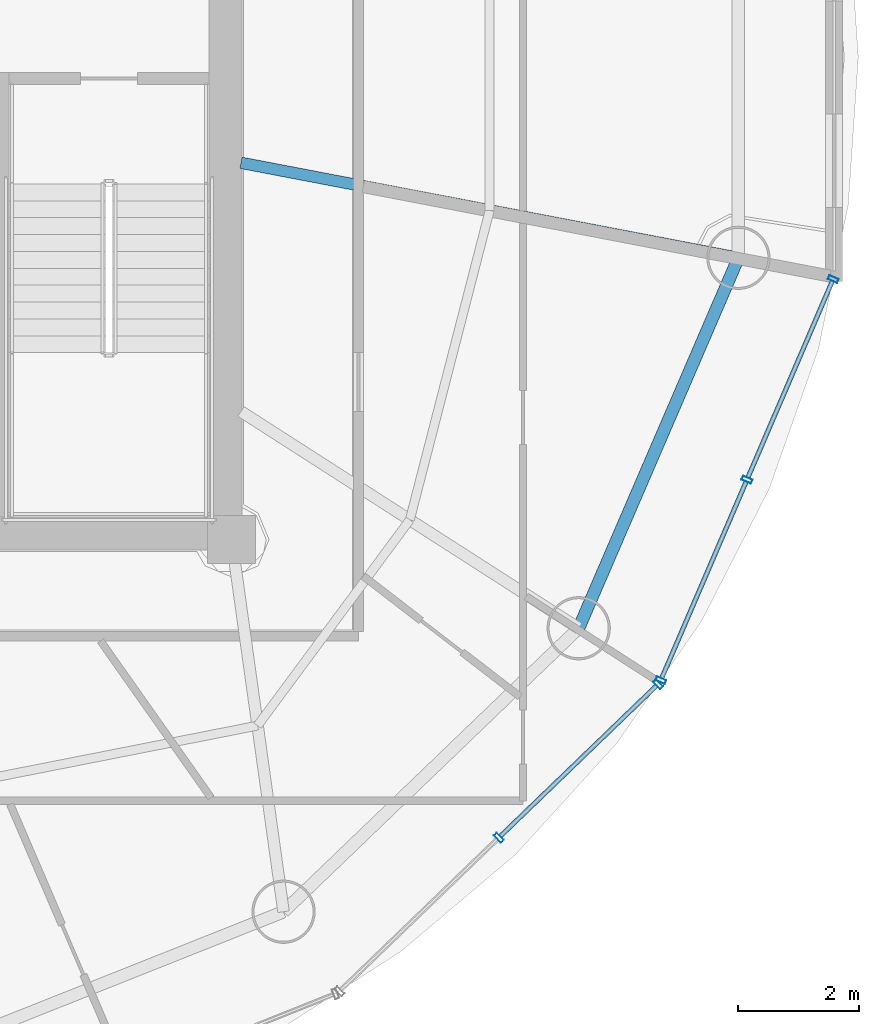
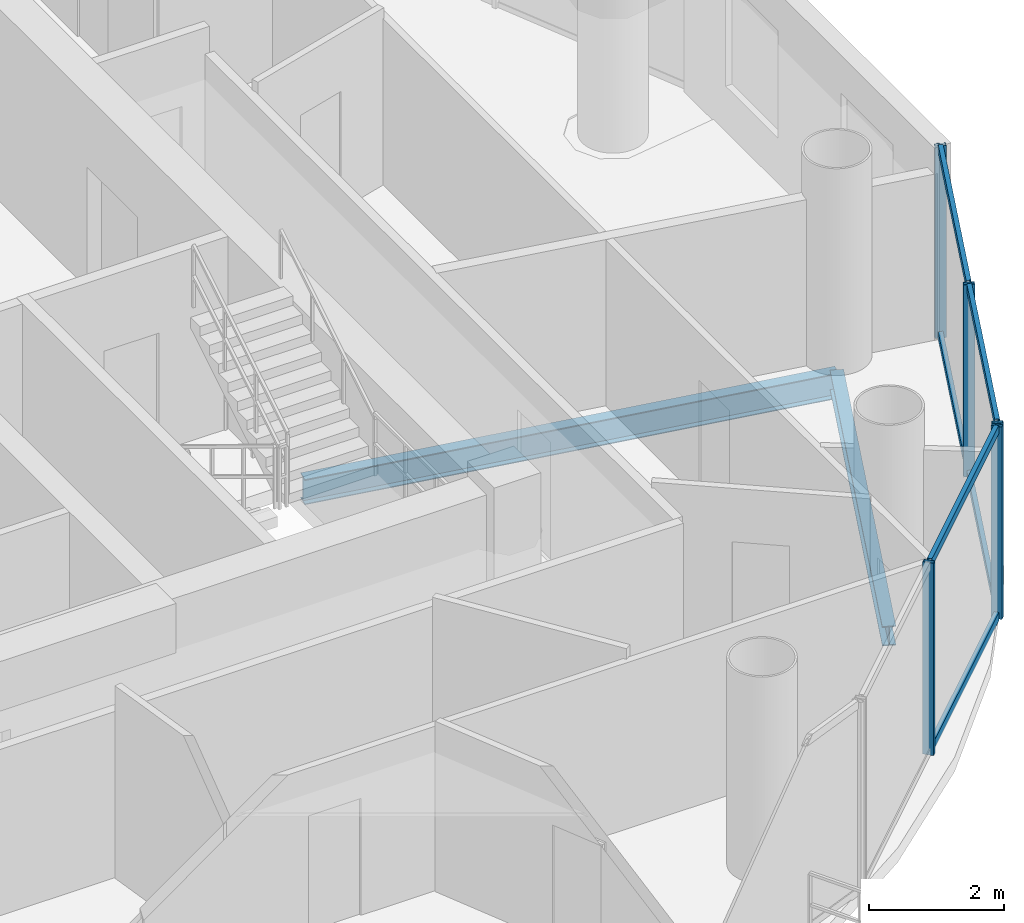
# One storey, part 10 of 23: 11 members, 2 beams, 2 elements without a shape of their own.
"""IFC4 building model written with IfcOpenShell, lengths in metres."""

from ifc_helpers import new_model, si_unit, direction, frame, origin, origin_2d, place, context, subcontext, project, spatial, hollow_rectangle, i_section, extrude, source, transform, mapped, material, material_profile, profile_set, type_object, element, aggregate, save


model = new_model("IFC4")

# Units and contexts
model_context = context("Model", 3, precision=1e-05, world=origin(), true_north=direction((-0.2419218956, 0.970295726276)))
body_context = subcontext(model_context, "Body", "Model", "MODEL_VIEW")
ifc_project = project(units=[si_unit("LENGTHUNIT", "METRE"), si_unit("AREAUNIT", "SQUARE_METRE"), si_unit("VOLUMEUNIT", "CUBIC_METRE"), si_unit("PLANEANGLEUNIT", "RADIAN"), si_unit("MASSUNIT", "GRAM", prefix="KILO")], contexts=[model_context])

# Site, building, storey
site_placement = place(None, origin())
site = spatial("IfcSite", under=ifc_project, at=site_placement, CompositionType="ELEMENT")
building_placement = place(site_placement, origin())
building = spatial("IfcBuilding", under=site, at=building_placement, Name="Cobrevalo Terracotta Tower", CompositionType="ELEMENT")
storey_placement = place(building_placement, frame((0.0, 0.0, 263.199951171875)))
storey = spatial("IfcBuildingStorey", under=building, at=storey_placement, Name="L69", CompositionType="ELEMENT", Elevation=263.199951171875)

# Beams
ifc_material_1 = material(Name="Steel S355", Category="steel")
ifc_material_profile_1 = material_profile(ifc_material_1, i_section(OverallWidth=0.19091796875, OverallDepth=0.4599609375, WebThickness=0.010009765625, FlangeThickness=0.01611328125, at=origin_2d()), Name="W 460x82")
ifc_profile_set_1 = profile_set([ifc_material_profile_1], Name="Steel S355")
beam_type_1 = type_object("IfcBeamType", Name="Structural Beam W 460x82 (Steel S355)", PredefinedType="BEAM", material=ifc_profile_set_1)
beam_1_placement = place(storey_placement, frame((55.408935546875, 23.4736328125, -0.489990234375), z_axis=(-0.982229562106, 0.187683476432, 0.0), x_axis=(-0.187683476432, -0.982229562106, 0.0)))
element("IfcBeam", 1, at=beam_1_placement, inside=storey, type_object=beam_type_1, Name="L69 radial floor girder 16", PredefinedType="BEAM", context=body_context, shape_type="SweptSolid", body=[
    extrude(i_section(OverallWidth=0.19091796875, OverallDepth=0.4599609375, WebThickness=0.010009765625, FlangeThickness=0.01611328125, at=origin_2d()), origin(), (0.0, 0.0, 1.0), 8.4033203125),
])
ifc_material_profile_2 = material_profile(ifc_material_1, i_section(OverallWidth=0.205078125, OverallDepth=0.35400390625, WebThickness=0.009521484375, FlangeThickness=0.016845703125, at=origin_2d()), Name="W 360x79")
ifc_profile_set_2 = profile_set([ifc_material_profile_2], Name="Steel S355")
beam_type_2 = type_object("IfcBeamType", Name="Structural Spandrel W 360x79 (Steel S355)", PredefinedType="SPANDREL", material=ifc_profile_set_2)
beam_2_placement = place(storey_placement, frame((52.758544921875, 17.32763671875, -0.43701171875), z_axis=(0.395987390706, 0.918255948198, 0.0), x_axis=(-0.918255948198, 0.395987390706, 0.0)))
element("IfcBeam", 2, at=beam_2_placement, inside=storey, type_object=beam_type_2, Name="L69 perimeter ring spandrel 15", PredefinedType="SPANDREL", context=body_context, shape_type="SweptSolid", body=[
    extrude(i_section(OverallWidth=0.205078125, OverallDepth=0.35400390625, WebThickness=0.009521484375, FlangeThickness=0.016845703125, at=origin_2d()), origin(), (0.0, 0.0, 1.0), 6.693115234375),
])

# Curtain wall, members
ifc_material_2 = material(Name="Anodized aluminium", Category="aluminium")
curtain_wall_type = type_object("IfcCurtainWallType", Name="Upper-tower triple-glazed penthouse curtain wall CW-U3", PredefinedType="NOTDEFINED", material=ifc_material_2)
curtain_wall_1_placement = place(storey_placement, origin())
curtain_wall_1 = element("IfcCurtainWall", 3, at=curtain_wall_1_placement, inside=storey, type_object=curtain_wall_type, Name="L69 curtain wall CW-L69-S14", PredefinedType="NOTDEFINED")
ifc_material_profile_3 = material_profile(ifc_material_2, hollow_rectangle(XDim=0.070068359375, YDim=0.169921875, WallThickness=0.00439453125, at=origin_2d()), Name="CWM 70x170")
ifc_profile_set_3 = profile_set([ifc_material_profile_3], Name="Anodized aluminium")
member_type_1 = type_object("IfcMemberType", Name="Upper tower unitised mullion 70x170", PredefinedType="MULLION", material=ifc_profile_set_3)
shared_shape_1 = source(origin(), body_context, "Body", "SweptSolid", [
    extrude(hollow_rectangle(XDim=0.070068359375, YDim=0.169921875, WallThickness=0.00439453125, at=origin_2d()), origin(), (0.0, 0.0, 1.0), 3.489990234375),
])
member_1_placement = place(storey_placement, frame((51.43359375, 13.85205078125, 0.0), z_axis=(0.0, 0.0, 1.0), x_axis=(0.71999418085, 0.69398010025, 0.0)))
member_1 = element("IfcMember", 4, at=member_1_placement, type_object=member_type_1, Name="CW-L69-S14 vertical mullion 02", PredefinedType="MULLION", context=body_context, shape_type="MappedRepresentation", body=[
    mapped(shared_shape_1, transform((0.0, 0.0, 0.0), scale=1.0)),
])
member_2_placement = place(storey_placement, frame((54.07666015625, 16.399658203125, 0.0), z_axis=(0.0, 0.0, 1.0), x_axis=(0.71999418085, 0.69398010025, 0.0)))
member_2 = element("IfcMember", 5, at=member_2_placement, type_object=member_type_1, Name="CW-L69-S14 vertical mullion 03", PredefinedType="MULLION", context=body_context, shape_type="MappedRepresentation", body=[
    mapped(shared_shape_1, transform((0.0, 0.0, 0.0), scale=1.0)),
])

curtain_wall_2_placement = place(storey_placement, origin())
curtain_wall_2 = element("IfcCurtainWall", 6, at=curtain_wall_2_placement, inside=storey, type_object=curtain_wall_type, Name="L69 curtain wall CW-L69-S15", PredefinedType="NOTDEFINED")
member_3_placement = place(storey_placement, frame((54.121337890625, 16.46435546875, 0.0), z_axis=(0.0, 0.0, 1.0), x_axis=(0.39482403454, 0.91875675875, 0.0)))
member_3 = element("IfcMember", 7, at=member_3_placement, type_object=member_type_1, Name="CW-L69-S15 vertical mullion 01", PredefinedType="MULLION", context=body_context, shape_type="MappedRepresentation", body=[
    mapped(shared_shape_1, transform((0.0, 0.0, 0.0), scale=1.0)),
])
member_4_placement = place(storey_placement, frame((55.5517578125, 19.79248046875, 0.0), z_axis=(0.0, 0.0, 1.0), x_axis=(0.39482403454, 0.91875675875, 0.0)))
member_4 = element("IfcMember", 8, at=member_4_placement, type_object=member_type_1, Name="CW-L69-S15 vertical mullion 02", PredefinedType="MULLION", context=body_context, shape_type="MappedRepresentation", body=[
    mapped(shared_shape_1, transform((0.0, 0.0, 0.0), scale=1.0)),
])
member_5_placement = place(storey_placement, frame((56.98193359375, 23.120849609375, 0.0), z_axis=(0.0, 0.0, 1.0), x_axis=(0.39482403454, 0.91875675875, 0.0)))
member_5 = element("IfcMember", 9, at=member_5_placement, type_object=member_type_1, Name="CW-L69-S15 vertical mullion 03", PredefinedType="MULLION", context=body_context, shape_type="MappedRepresentation", body=[
    mapped(shared_shape_1, transform((0.0, 0.0, 0.0), scale=1.0)),
])

# Member
ifc_material_profile_4 = material_profile(ifc_material_2, hollow_rectangle(XDim=0.074951171875, YDim=0.14990234375, WallThickness=0.00439453125, at=origin_2d()), Name="CWT 75x150")
ifc_profile_set_4 = profile_set([ifc_material_profile_4], Name="Anodized aluminium")
member_type_2 = type_object("IfcMemberType", Name="Tower unitised aluminium transom 75x150", PredefinedType="USERDEFINED", material=ifc_profile_set_4)
shared_shape_2 = source(origin(), body_context, "Body", "SweptSolid", [
    extrude(hollow_rectangle(XDim=0.074951171875, YDim=0.14990234375, WallThickness=0.00439453125, at=origin_2d()), origin(), (0.0, 0.0, 1.0), 3.59130859375),
])
member_6_placement = place(storey_placement, frame((51.462158203125, 13.879638671875, 0.050048828125), z_axis=(0.719971660756, 0.694003463758, 0.0), x_axis=(-0.694003463758, 0.719971660756, 0.0)))
member_6 = element("IfcMember", 10, at=member_6_placement, type_object=member_type_2, Name="CW-L69-S14 transom B02-T1", ObjectType="TRANSOM", PredefinedType="USERDEFINED", context=body_context, shape_type="MappedRepresentation", body=[
    mapped(shared_shape_2, transform((0.0, 0.0, 0.0), scale=1.0)),
])

member_7_placement = place(storey_placement, frame((51.462158203125, 13.879638671875, 3.43994140625), z_axis=(0.719971660756, 0.694003463758, 0.0), x_axis=(-0.694003463758, 0.719971660756, 0.0)))
member_7 = element("IfcMember", 11, at=member_7_placement, type_object=member_type_2, Name="CW-L69-S14 transom B02-T2", ObjectType="TRANSOM", PredefinedType="USERDEFINED", context=body_context, shape_type="MappedRepresentation", body=[
    mapped(shared_shape_2, transform((0.0, 0.0, 0.0), scale=1.0)),
])

aggregate(curtain_wall_1, [member_1, member_2, member_6, member_7])

shared_shape_3 = source(origin(), body_context, "Body", "SweptSolid", [
    extrude(hollow_rectangle(XDim=0.074951171875, YDim=0.14990234375, WallThickness=0.00439453125, at=origin_2d()), origin(), (0.0, 0.0, 1.0), 3.542724609375),
])
member_8_placement = place(storey_placement, frame((54.13720703125, 16.5009765625, 0.050048828125), z_axis=(0.394809056766, 0.918763195114, 0.0), x_axis=(-0.918763195114, 0.394809056766, 0.0)))
member_8 = element("IfcMember", 12, at=member_8_placement, type_object=member_type_2, Name="CW-L69-S15 transom B01-T1", ObjectType="TRANSOM", PredefinedType="USERDEFINED", context=body_context, shape_type="MappedRepresentation", body=[
    mapped(shared_shape_3, transform((0.0, 0.0, 0.0), scale=1.0)),
])

member_9_placement = place(storey_placement, frame((54.13720703125, 16.5009765625, 3.43994140625), z_axis=(0.394809056766, 0.918763195114, 0.0), x_axis=(-0.918763195114, 0.394809056766, 0.0)))
member_9 = element("IfcMember", 13, at=member_9_placement, type_object=member_type_2, Name="CW-L69-S15 transom B01-T2", ObjectType="TRANSOM", PredefinedType="USERDEFINED", context=body_context, shape_type="MappedRepresentation", body=[
    mapped(shared_shape_3, transform((0.0, 0.0, 0.0), scale=1.0)),
])

member_10_placement = place(storey_placement, frame((55.5673828125, 19.829345703125, 0.050048828125), z_axis=(0.394867226589, 0.918738196314, 0.0), x_axis=(-0.918738196314, 0.394867226589, 0.0)))
member_10 = element("IfcMember", 14, at=member_10_placement, type_object=member_type_2, Name="CW-L69-S15 transom B02-T1", ObjectType="TRANSOM", PredefinedType="USERDEFINED", context=body_context, shape_type="MappedRepresentation", body=[
    mapped(shared_shape_3, transform((0.0, 0.0, 0.0), scale=1.0)),
])

member_11_placement = place(storey_placement, frame((55.5673828125, 19.829345703125, 3.43994140625), z_axis=(0.394867226589, 0.918738196314, 0.0), x_axis=(-0.918738196314, 0.394867226589, 0.0)))
member_11 = element("IfcMember", 15, at=member_11_placement, type_object=member_type_2, Name="CW-L69-S15 transom B02-T2", ObjectType="TRANSOM", PredefinedType="USERDEFINED", context=body_context, shape_type="MappedRepresentation", body=[
    mapped(shared_shape_3, transform((0.0, 0.0, 0.0), scale=1.0)),
])

aggregate(curtain_wall_2, [member_3, member_4, member_5, member_8, member_9, member_10, member_11])

save(model, "model.ifc")
